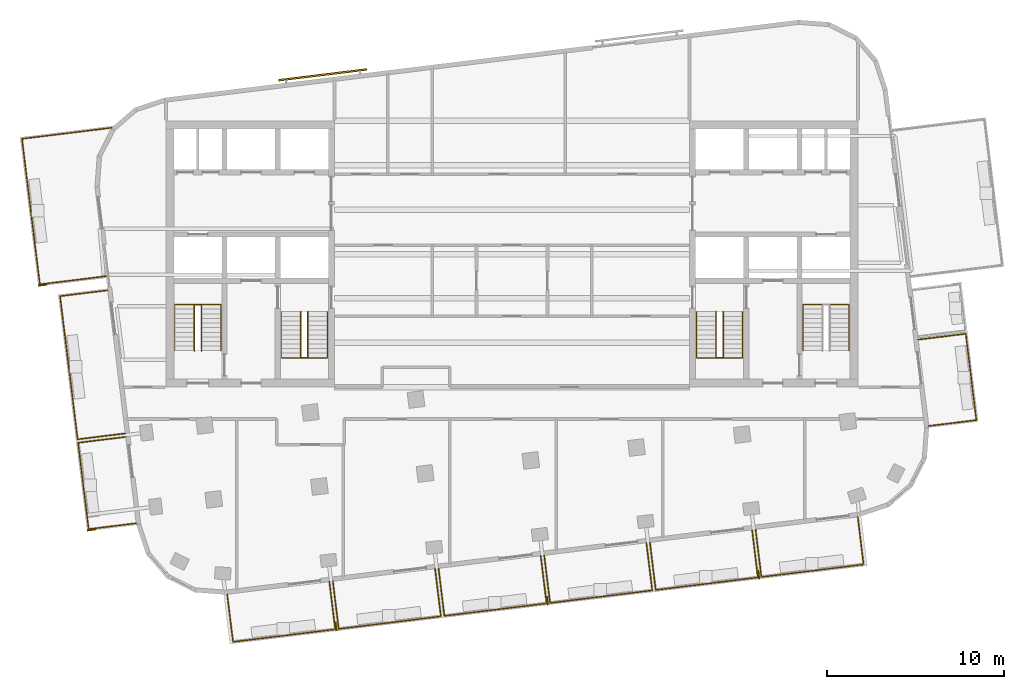
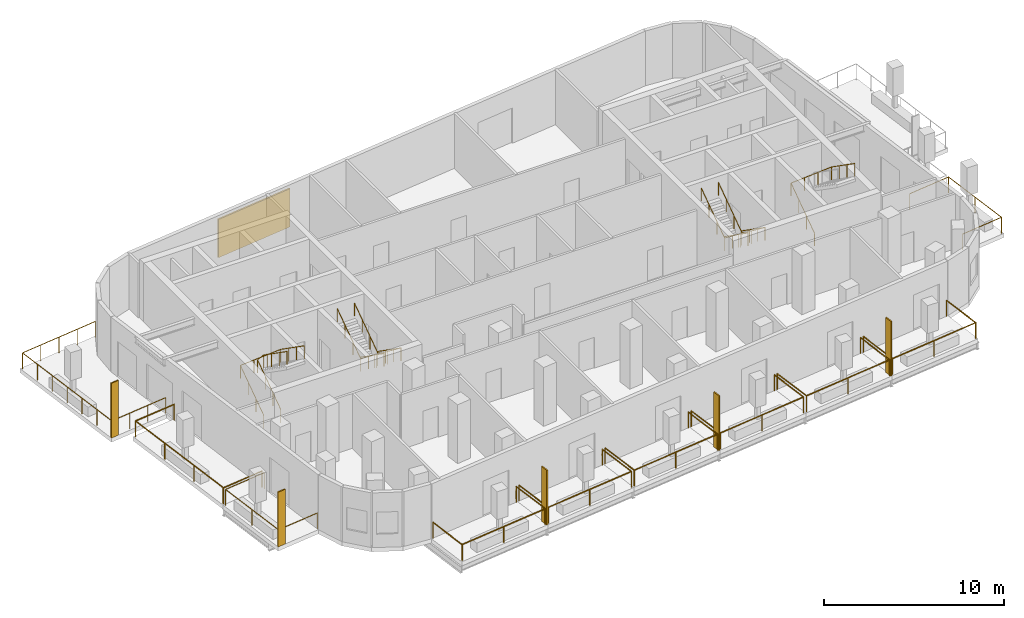
# One storey, part 8 of 10: 17 railings, 6 shading devices.
"""IFC4 building model written with IfcOpenShell, lengths in metres."""

from ifc_helpers import new_model, si_unit, direction, frame, origin, origin_2d, place, context, subcontext, project, spatial, rectangle, circle, extrude, material, layer, layer_set, type_object, element, save


model = new_model("IFC4")

# Units and contexts
model_context = context("Model", 3, precision=1e-05, world=origin(), true_north=direction((0.0, 1.0)))
body_context = subcontext(model_context, "Body", "Model", "MODEL_VIEW")
ifc_project = project(units=[si_unit("LENGTHUNIT", "METRE"), si_unit("AREAUNIT", "SQUARE_METRE"), si_unit("VOLUMEUNIT", "CUBIC_METRE"), si_unit("PLANEANGLEUNIT", "RADIAN"), si_unit("MASSUNIT", "GRAM", prefix="KILO")], contexts=[model_context])

# Site, building, storey
site_placement = place(None, origin())
site = spatial("IfcSite", under=ifc_project, at=site_placement, CompositionType="ELEMENT")
building_placement = place(site_placement, origin())
building = spatial("IfcBuilding", under=site, at=building_placement, Name="Torana Hotel and Residences", CompositionType="ELEMENT")
storey_placement = place(building_placement, frame((0.0, 0.0, 334.60009765625)))
storey = spatial("IfcBuildingStorey", under=building, at=storey_placement, Name="L88", CompositionType="ELEMENT", Elevation=334.60009765625)

# Shading devices
ifc_material_1 = material(Name="Black powder coated aluminium", Category="aluminium")
ifc_layer_1 = layer(ifc_material_1, 0.080078125)
ifc_layer_set_1 = layer_set([ifc_layer_1], Name="FN1 VERTICAL FIN 500x80")
shading_device_type_1 = type_object("IfcShadingDeviceType", Name="FN1 VERTICAL FIN 500x80", PredefinedType="USERDEFINED", material=ifc_layer_set_1)
for number, where, z_axis, x_axis, name in (
    (1, (-9.921142578125, -28.4931640625, 0.0), (0.0, 0.0, 1.0), (-0.99254657704, -0.121865878765, 0.0), "Fin 01"),
    (2, (1.989501953125, -27.03076171875, 0.0), (0.0, 0.0, 1.0), (-0.99254657704, -0.121865878765, 0.0), "Fin 03"),
    (3, (13.89990234375, -25.568359375, 0.0), (0.0, 0.0, 1.0), (-0.99254657704, -0.121865878765, 0.0), "Fin 05"),
    (4, (-23.6982421875, -23.04150390625, 0.0), (0.0, 0.0, 1.0), (-0.121881469635, 0.992544662652, 0.0), "Fin 07"),
    (5, (-26.44970703125, -9.2490234375, 0.0), (0.0, 0.0, 1.0), (-0.121871075725, 0.992545938938, 0.0), "Fin 09"),
):
    element("IfcShadingDevice", number, at=place(storey_placement, frame(where, z_axis=z_axis, x_axis=x_axis)), inside=storey, type_object=shading_device_type_1, Name=name, ObjectType="FIN", PredefinedType="USERDEFINED", context=body_context, shape_type="SweptSolid", body=[
        extrude(rectangle(XDim=0.080078125, YDim=0.5, at=origin_2d()), origin(), (0.0, 0.0, 1.0), 3.719970703125),
    ])

# Railings
ifc_material_2 = material(Name="Laminated glass balustrade with black handrail", Category="glass")
railing_type_1 = type_object("IfcRailingType", Name="GR1 BALCONY GUARD 1100 GLASS", PredefinedType="GUARDRAIL", material=ifc_material_2)
railing_1_placement = place(storey_placement, frame((-10.29150390625, -25.969482421875, 0.0)))
element("IfcRailing", 6, at=railing_1_placement, inside=storey, type_object=railing_type_1, Name="Balcony guard 01", PredefinedType="GUARDRAIL", context=body_context, shape_type="SweptSolid", body=[
    extrude(circle(Radius=0.02392578125, at=origin_2d()), frame((0.0, 0.0, 1.076171875), z_axis=(0.121886613265, -0.992544031017, 0.0), x_axis=(0.992544031017, 0.121886613265, 0.0)), (0.0, 0.0, 1.0), 2.699951171875),
    extrude(circle(Radius=0.02392578125, at=origin_2d()), frame((0.3291015625, -2.679931640625, 1.076171875), z_axis=(-0.992547475119, -0.121858564057, 0.0), x_axis=(0.121858564057, -0.992547475119, 0.0)), (0.0, 0.0, 1.0), 5.800048828125),
    extrude(circle(Radius=0.02392578125, at=origin_2d()), frame((-5.427734375, -3.38671875, 1.076171875), z_axis=(-0.121797534772, 0.992554965996, 0.0), x_axis=(-0.992554965996, -0.121797534772, 0.0)), (0.0, 0.0, 1.0), 2.699951171875),
    extrude(circle(Radius=0.02099609375, at=origin_2d()), origin(), (0.0, 0.0, 1.0), 1.052001953125),
    extrude(circle(Radius=0.02099609375, at=origin_2d()), frame((0.3291015625, -2.679931640625, 0.0)), (0.0, 0.0, 1.0), 1.052001953125),
    extrude(circle(Radius=0.02099609375, at=origin_2d()), frame((-2.54931640625, -3.033203125, 0.0)), (0.0, 0.0, 1.0), 1.052001953125),
    extrude(circle(Radius=0.02099609375, at=origin_2d()), frame((-5.427734375, -3.38671875, 0.0)), (0.0, 0.0, 1.0), 1.052001953125),
    extrude(circle(Radius=0.02099609375, at=origin_2d()), frame((-5.756591796875, -0.706787109375, 0.0)), (0.0, 0.0, 1.0), 1.052001953125),
])
for number, where, name in (
    (7, (-4.336181640625, -25.23828125, 0.0), "Balcony guard 02"),
    (8, (1.619140625, -24.507080078125, 0.0), "Balcony guard 03"),
):
    element("IfcRailing", number, at=place(storey_placement, frame(where)), inside=storey, type_object=railing_type_1, Name=name, PredefinedType="GUARDRAIL", context=body_context, shape_type="SweptSolid", body=[
        extrude(circle(Radius=0.02392578125, at=origin_2d()), frame((0.0, 0.0, 1.076171875), z_axis=(0.121886613265, -0.992544031017, 0.0), x_axis=(0.992544031017, 0.121886613265, 0.0)), (0.0, 0.0, 1.0), 2.699951171875),
        extrude(circle(Radius=0.02392578125, at=origin_2d()), frame((0.3291015625, -2.679931640625, 1.076171875), z_axis=(-0.992547475119, -0.121858564057, 0.0), x_axis=(0.121858564057, -0.992547475119, 0.0)), (0.0, 0.0, 1.0), 5.800048828125),
        extrude(circle(Radius=0.02392578125, at=origin_2d()), frame((-5.427734375, -3.38671875, 1.076171875), z_axis=(-0.121886613265, 0.992544031017, 0.0), x_axis=(-0.992544031017, -0.121886613265, 0.0)), (0.0, 0.0, 1.0), 2.699951171875),
        extrude(circle(Radius=0.02099609375, at=origin_2d()), origin(), (0.0, 0.0, 1.0), 1.052001953125),
        extrude(circle(Radius=0.02099609375, at=origin_2d()), frame((0.3291015625, -2.679931640625, 0.0)), (0.0, 0.0, 1.0), 1.052001953125),
        extrude(circle(Radius=0.02099609375, at=origin_2d()), frame((-2.54931640625, -3.033203125, 0.0)), (0.0, 0.0, 1.0), 1.052001953125),
        extrude(circle(Radius=0.02099609375, at=origin_2d()), frame((-5.427734375, -3.38671875, 0.0)), (0.0, 0.0, 1.0), 1.052001953125),
        extrude(circle(Radius=0.02099609375, at=origin_2d()), frame((-5.7568359375, -0.706787109375, 0.0)), (0.0, 0.0, 1.0), 1.052001953125),
    ])
railing_2_placement = place(storey_placement, frame((7.57421875, -23.77587890625, 0.0)))
element("IfcRailing", 9, at=railing_2_placement, inside=storey, type_object=railing_type_1, Name="Balcony guard 04", PredefinedType="GUARDRAIL", context=body_context, shape_type="SweptSolid", body=[
    extrude(circle(Radius=0.02392578125, at=origin_2d()), frame((0.0, 0.0, 1.076171875), z_axis=(0.121886613265, -0.992544031017, 0.0), x_axis=(0.992544031017, 0.121886613265, 0.0)), (0.0, 0.0, 1.0), 2.699951171875),
    extrude(circle(Radius=0.02392578125, at=origin_2d()), frame((0.3291015625, -2.679931640625, 1.076171875), z_axis=(-0.992546850023, -0.121863655406, 0.0), x_axis=(0.121863655406, -0.992546850023, 0.0)), (0.0, 0.0, 1.0), 5.7998046875),
    extrude(circle(Radius=0.02392578125, at=origin_2d()), frame((-5.427490234375, -3.38671875, 1.076171875), z_axis=(-0.121886613265, 0.992544031017, 0.0), x_axis=(-0.992544031017, -0.121886613265, 0.0)), (0.0, 0.0, 1.0), 2.699951171875),
    extrude(circle(Radius=0.02099609375, at=origin_2d()), origin(), (0.0, 0.0, 1.0), 1.052001953125),
    extrude(circle(Radius=0.02099609375, at=origin_2d()), frame((0.3291015625, -2.679931640625, 0.0)), (0.0, 0.0, 1.0), 1.052001953125),
    extrude(circle(Radius=0.02099609375, at=origin_2d()), frame((-2.54931640625, -3.033203125, 0.0)), (0.0, 0.0, 1.0), 1.052001953125),
    extrude(circle(Radius=0.02099609375, at=origin_2d()), frame((-5.427490234375, -3.38671875, 0.0)), (0.0, 0.0, 1.0), 1.052001953125),
    extrude(circle(Radius=0.02099609375, at=origin_2d()), frame((-5.756591796875, -0.706787109375, 0.0)), (0.0, 0.0, 1.0), 1.052001953125),
])
for number, where, name in (
    (10, (13.529541015625, -23.044677734375, 0.0), "Balcony guard 05"),
    (11, (19.48486328125, -22.3134765625, 0.0), "Balcony guard 06"),
):
    element("IfcRailing", number, at=place(storey_placement, frame(where)), inside=storey, type_object=railing_type_1, Name=name, PredefinedType="GUARDRAIL", context=body_context, shape_type="SweptSolid", body=[
        extrude(circle(Radius=0.02392578125, at=origin_2d()), frame((0.0, 0.0, 1.076171875), z_axis=(0.121886613265, -0.992544031017, 0.0), x_axis=(0.992544031017, 0.121886613265, 0.0)), (0.0, 0.0, 1.0), 2.699951171875),
        extrude(circle(Radius=0.02392578125, at=origin_2d()), frame((0.3291015625, -2.679931640625, 1.076171875), z_axis=(-0.992547475119, -0.121858564057, 0.0), x_axis=(0.121858564057, -0.992547475119, 0.0)), (0.0, 0.0, 1.0), 5.800048828125),
        extrude(circle(Radius=0.02392578125, at=origin_2d()), frame((-5.427734375, -3.38671875, 1.076171875), z_axis=(-0.121797534772, 0.992554965996, 0.0), x_axis=(-0.992554965996, -0.121797534772, 0.0)), (0.0, 0.0, 1.0), 2.699951171875),
        extrude(circle(Radius=0.02099609375, at=origin_2d()), origin(), (0.0, 0.0, 1.0), 1.052001953125),
        extrude(circle(Radius=0.02099609375, at=origin_2d()), frame((0.3291015625, -2.679931640625, 0.0)), (0.0, 0.0, 1.0), 1.052001953125),
        extrude(circle(Radius=0.02099609375, at=origin_2d()), frame((-2.54931640625, -3.033203125, 0.0)), (0.0, 0.0, 1.0), 1.052001953125),
        extrude(circle(Radius=0.02099609375, at=origin_2d()), frame((-5.427734375, -3.38671875, 0.0)), (0.0, 0.0, 1.0), 1.052001953125),
        extrude(circle(Radius=0.02099609375, at=origin_2d()), frame((-5.756591796875, -0.706787109375, 0.0)), (0.0, 0.0, 1.0), 1.052001953125),
    ])
railing_3_placement = place(storey_placement, frame((-21.174560546875, -22.671142578125, 0.0)))
element("IfcRailing", 12, at=railing_3_placement, inside=storey, type_object=railing_type_1, Name="Balcony guard 07", PredefinedType="GUARDRAIL", context=body_context, shape_type="SweptSolid", body=[
    extrude(circle(Radius=0.02392578125, at=origin_2d()), frame((0.0, 0.0, 1.076171875), z_axis=(-0.992544031017, -0.121886613265, 0.0), x_axis=(0.121886613265, -0.992544031017, 0.0)), (0.0, 0.0, 1.0), 2.699951171875),
    extrude(circle(Radius=0.02392578125, at=origin_2d()), frame((-2.679931640625, -0.3291015625, 1.076171875), z_axis=(-0.121869773493, 0.992546098833, 0.0), x_axis=(-0.992546098833, -0.121869773493, 0.0)), (0.0, 0.0, 1.0), 4.900146484375),
    extrude(circle(Radius=0.02392578125, at=origin_2d()), frame((-3.277099609375, 4.534423828125, 1.076171875), z_axis=(0.992554965996, 0.121797534772, 0.0), x_axis=(-0.121797534772, 0.992554965996, 0.0)), (0.0, 0.0, 1.0), 2.699951171875),
    extrude(circle(Radius=0.02099609375, at=origin_2d()), origin(), (0.0, 0.0, 1.0), 1.052001953125),
    extrude(circle(Radius=0.02099609375, at=origin_2d()), frame((-2.679931640625, -0.3291015625, 0.0)), (0.0, 0.0, 1.0), 1.052001953125),
    extrude(circle(Radius=0.02099609375, at=origin_2d()), frame((-2.978515625, 2.1025390625, 0.0)), (0.0, 0.0, 1.0), 1.052001953125),
    extrude(circle(Radius=0.02099609375, at=origin_2d()), frame((-3.277099609375, 4.534423828125, 0.0)), (0.0, 0.0, 1.0), 1.052001953125),
    extrude(circle(Radius=0.02099609375, at=origin_2d()), frame((-0.59716796875, 4.86328125, 0.0)), (0.0, 0.0, 1.0), 1.052001953125),
])
railing_4_placement = place(storey_placement, frame((-21.796142578125, -17.609130859375, 0.0)))
element("IfcRailing", 13, at=railing_4_placement, inside=storey, type_object=railing_type_1, Name="Balcony guard 08", PredefinedType="GUARDRAIL", context=body_context, shape_type="SweptSolid", body=[
    extrude(circle(Radius=0.02392578125, at=origin_2d()), frame((0.0, 0.0, 1.076171875), z_axis=(-0.992544031017, -0.121886613265, 0.0), x_axis=(0.121886613265, -0.992544031017, 0.0)), (0.0, 0.0, 1.0), 2.699951171875),
    extrude(circle(Radius=0.02392578125, at=origin_2d()), frame((-2.679931640625, -0.3291015625, 1.076171875), z_axis=(-0.121845081243, 0.992549130359, 0.0), x_axis=(-0.992549130359, -0.121845081243, 0.0)), (0.0, 0.0, 1.0), 8.125),
    extrude(circle(Radius=0.02392578125, at=origin_2d()), frame((-3.669921875, 7.7353515625, 1.076171875), z_axis=(0.992554965996, 0.121797534772, 0.0), x_axis=(-0.121797534772, 0.992554965996, 0.0)), (0.0, 0.0, 1.0), 2.699951171875),
    extrude(circle(Radius=0.02099609375, at=origin_2d()), origin(), (0.0, 0.0, 1.0), 1.052001953125),
    extrude(circle(Radius=0.02099609375, at=origin_2d()), frame((-2.679931640625, -0.3291015625, 0.0)), (0.0, 0.0, 1.0), 1.052001953125),
    extrude(circle(Radius=0.02099609375, at=origin_2d()), frame((-3.010009765625, 2.359130859375, 0.0)), (0.0, 0.0, 1.0), 1.052001953125),
    extrude(circle(Radius=0.02099609375, at=origin_2d()), frame((-3.33984375, 5.047119140625, 0.0)), (0.0, 0.0, 1.0), 1.052001953125),
    extrude(circle(Radius=0.02099609375, at=origin_2d()), frame((-3.669921875, 7.7353515625, 0.0)), (0.0, 0.0, 1.0), 1.052001953125),
    extrude(circle(Radius=0.02099609375, at=origin_2d()), frame((-0.989990234375, 8.064208984375, 0.0)), (0.0, 0.0, 1.0), 1.052001953125),
])
railing_5_placement = place(storey_placement, frame((-22.8837890625, -8.750732421875, 0.0)))
element("IfcRailing", 14, at=railing_5_placement, inside=storey, type_object=railing_type_1, Name="Balcony guard 09", PredefinedType="GUARDRAIL", context=body_context, shape_type="SweptSolid", body=[
    extrude(circle(Radius=0.02392578125, at=origin_2d()), frame((0.0, 0.0, 1.076171875), z_axis=(-0.992544975267, -0.121878923824, 0.0), x_axis=(0.121878923824, -0.992544975267, 0.0)), (0.0, 0.0, 1.0), 3.75),
    extrude(circle(Radius=0.02392578125, at=origin_2d()), frame((-3.721923828125, -0.45703125, 1.076171875), z_axis=(-0.121878024543, 0.992545085693, 0.0), x_axis=(-0.992545085693, -0.121878024543, 0.0)), (0.0, 0.0, 1.0), 8.262939453125),
    extrude(circle(Radius=0.02392578125, at=origin_2d()), frame((-4.72900390625, 7.744384765625, 1.076171875), z_axis=(0.992542638755, 0.12189795016, 0.0), x_axis=(-0.12189795016, 0.992542638755, 0.0)), (0.0, 0.0, 1.0), 5.0771484375),
    extrude(circle(Radius=0.02099609375, at=origin_2d()), origin(), (0.0, 0.0, 1.0), 1.052001953125),
    extrude(circle(Radius=0.02099609375, at=origin_2d()), frame((-1.24072265625, -0.15234375, 0.0)), (0.0, 0.0, 1.0), 1.052001953125),
    extrude(circle(Radius=0.02099609375, at=origin_2d()), frame((-2.481201171875, -0.3046875, 0.0)), (0.0, 0.0, 1.0), 1.052001953125),
    extrude(circle(Radius=0.02099609375, at=origin_2d()), frame((-3.721923828125, -0.45703125, 0.0)), (0.0, 0.0, 1.0), 1.052001953125),
    extrude(circle(Radius=0.02099609375, at=origin_2d()), frame((-3.8896484375, 0.909912109375, 0.0)), (0.0, 0.0, 1.0), 1.052001953125),
    extrude(circle(Radius=0.02099609375, at=origin_2d()), frame((-4.0576171875, 2.27685546875, 0.0)), (0.0, 0.0, 1.0), 1.052001953125),
    extrude(circle(Radius=0.02099609375, at=origin_2d()), frame((-4.2255859375, 3.6435546875, 0.0)), (0.0, 0.0, 1.0), 1.052001953125),
    extrude(circle(Radius=0.02099609375, at=origin_2d()), frame((-4.393310546875, 5.010498046875, 0.0)), (0.0, 0.0, 1.0), 1.052001953125),
    extrude(circle(Radius=0.02099609375, at=origin_2d()), frame((-4.56103515625, 6.37744140625, 0.0)), (0.0, 0.0, 1.0), 1.052001953125),
    extrude(circle(Radius=0.02099609375, at=origin_2d()), frame((-4.72900390625, 7.744384765625, 0.0)), (0.0, 0.0, 1.0), 1.052001953125),
    extrude(circle(Radius=0.02099609375, at=origin_2d()), frame((-3.46923828125, 7.899169921875, 0.0)), (0.0, 0.0, 1.0), 1.052001953125),
    extrude(circle(Radius=0.02099609375, at=origin_2d()), frame((-2.20947265625, 8.0537109375, 0.0)), (0.0, 0.0, 1.0), 1.052001953125),
    extrude(circle(Radius=0.02099609375, at=origin_2d()), frame((-0.949462890625, 8.20849609375, 0.0)), (0.0, 0.0, 1.0), 1.052001953125),
    extrude(circle(Radius=0.02099609375, at=origin_2d()), frame((0.310302734375, 8.36328125, 0.0)), (0.0, 0.0, 1.0), 1.052001953125),
])
railing_6_placement = place(storey_placement, frame((22.892822265625, -12.32373046875, 0.0)))
element("IfcRailing", 15, at=railing_6_placement, inside=storey, type_object=railing_type_1, Name="Balcony guard 10", PredefinedType="GUARDRAIL", context=body_context, shape_type="SweptSolid", body=[
    extrude(circle(Radius=0.02392578125, at=origin_2d()), frame((0.0, 0.0, 1.076171875), z_axis=(0.992544031017, 0.121886613265, 0.0), x_axis=(-0.121886613265, 0.992544031017, 0.0)), (0.0, 0.0, 1.0), 2.699951171875),
    extrude(circle(Radius=0.02392578125, at=origin_2d()), frame((2.679931640625, 0.3291015625, 1.076171875), z_axis=(0.121869773493, -0.992546098833, 0.0), x_axis=(0.992546098833, 0.121869773493, 0.0)), (0.0, 0.0, 1.0), 4.900146484375),
    extrude(circle(Radius=0.02392578125, at=origin_2d()), frame((3.277099609375, -4.534423828125, 1.076171875), z_axis=(-0.992554965996, -0.121797534772, 0.0), x_axis=(0.121797534772, -0.992554965996, 0.0)), (0.0, 0.0, 1.0), 2.699951171875),
    extrude(circle(Radius=0.02099609375, at=origin_2d()), origin(), (0.0, 0.0, 1.0), 1.052001953125),
    extrude(circle(Radius=0.02099609375, at=origin_2d()), frame((2.679931640625, 0.3291015625, 0.0)), (0.0, 0.0, 1.0), 1.052001953125),
    extrude(circle(Radius=0.02099609375, at=origin_2d()), frame((2.978515625, -2.1025390625, 0.0)), (0.0, 0.0, 1.0), 1.052001953125),
    extrude(circle(Radius=0.02099609375, at=origin_2d()), frame((3.277099609375, -4.534423828125, 0.0)), (0.0, 0.0, 1.0), 1.052001953125),
    extrude(circle(Radius=0.02099609375, at=origin_2d()), frame((0.59716796875, -4.86328125, 0.0)), (0.0, 0.0, 1.0), 1.052001953125),
])

# Shading device
ifc_material_3 = material(Name="Concrete C40/50 precast", Category="concrete")
ifc_layer_2 = layer(ifc_material_3, 0.10009765625)
ifc_layer_set_2 = layer_set([ifc_layer_2], Name="SC1 PERFORATED BLOCK SCREEN PANEL 100")
shading_device_type_2 = type_object("IfcShadingDeviceType", Name="SC1 PERFORATED BLOCK SCREEN PANEL 100", PredefinedType="USERDEFINED", material=ifc_layer_set_2)
shading_device_placement = place(storey_placement, frame((-10.663330078125, 2.59814453125, 0.499755859375), z_axis=(0.0, 0.0, 1.0), x_axis=(-0.99254657704, -0.121865878765, 0.0)))
element("IfcShadingDevice", 16, at=shading_device_placement, inside=storey, type_object=shading_device_type_2, Name="Perforated block screen L88", ObjectType="SCREEN", PredefinedType="USERDEFINED", context=body_context, shape_type="SweptSolid", body=[
    extrude(rectangle(XDim=5.0, YDim=0.10009765625, at=origin_2d()), origin(), (0.0, 0.0, 1.0), 2.60009765625),
])

# Railings
ifc_material_4 = material(Name="Stainless steel 316", Category="steel")
railing_type_2 = type_object("IfcRailingType", Name="STAIR HANDRAIL HR1 900", PredefinedType="HANDRAIL", material=ifc_material_4)
railing_7_placement = place(storey_placement, frame((-10.39990234375, -10.75, 0.181640625)))
element("IfcRailing", 17, at=railing_7_placement, inside=storey, type_object=railing_type_2, Name="Handrail ST1 L88 O1", PredefinedType="HANDRAIL", context=body_context, shape_type="SweptSolid", body=[
    extrude(circle(Radius=0.02392578125, at=origin_2d()), frame((0.0, 0.0, 0.8759765625), z_axis=(0.0, -0.819484887739, 0.573100792852), x_axis=(1.0, 0.0, 0.0)), (0.0, 0.0, 1.0), 3.1728515625),
    extrude(circle(Radius=0.02392578125, at=origin_2d()), frame((0.0, -2.60009765625, 2.6943359375), z_axis=(-0.997568744571, 0.0, 0.06968930948), x_axis=(0.0, -1.0, 0.0)), (0.0, 0.0, 1.0), 2.6064453125),
    extrude(circle(Radius=0.02392578125, at=origin_2d()), frame((-2.60009765625, -2.60009765625, 2.8759765625), z_axis=(0.0, 0.819484887739, 0.573100792852), x_axis=(-1.0, 0.0, 0.0)), (0.0, 0.0, 1.0), 3.1728515625),
    extrude(circle(Radius=0.02099609375, at=origin_2d()), origin(), (0.0, 0.0, 1.0), 0.851806640625),
    extrude(circle(Radius=0.02099609375, at=origin_2d()), frame((0.0, -0.86669921875, 0.606201171875)), (0.0, 0.0, 1.0), 0.851806640625),
    extrude(circle(Radius=0.02099609375, at=origin_2d()), frame((0.0, -1.7333984375, 1.212158203125)), (0.0, 0.0, 1.0), 0.851806640625),
    extrude(circle(Radius=0.02099609375, at=origin_2d()), frame((0.0, -2.60009765625, 1.818359375)), (0.0, 0.0, 1.0), 0.851806640625),
    extrude(circle(Radius=0.02099609375, at=origin_2d()), frame((-0.86669921875, -2.60009765625, 1.87890625)), (0.0, 0.0, 1.0), 0.851806640625),
    extrude(circle(Radius=0.02099609375, at=origin_2d()), frame((-1.7333984375, -2.60009765625, 1.939453125)), (0.0, 0.0, 1.0), 0.851806640625),
    extrude(circle(Radius=0.02099609375, at=origin_2d()), frame((-2.60009765625, -2.60009765625, 2.0)), (0.0, 0.0, 1.0), 0.851806640625),
    extrude(circle(Radius=0.02099609375, at=origin_2d()), frame((-2.60009765625, -1.7333984375, 2.606201171875)), (0.0, 0.0, 1.0), 0.851806640625),
    extrude(circle(Radius=0.02099609375, at=origin_2d()), frame((-2.60009765625, -0.86669921875, 3.212158203125)), (0.0, 0.0, 1.0), 0.851806640625),
    extrude(circle(Radius=0.02099609375, at=origin_2d()), frame((-2.60009765625, 0.0, 3.818359375)), (0.0, 0.0, 1.0), 0.851806640625),
])
railing_8_placement = place(storey_placement, frame((-11.5, -10.75, 0.181640625)))
element("IfcRailing", 18, at=railing_8_placement, inside=storey, type_object=railing_type_2, Name="Handrail ST1 L88 I1", PredefinedType="HANDRAIL", context=body_context, shape_type="SweptSolid", body=[
    extrude(circle(Radius=0.02392578125, at=origin_2d()), frame((0.0, 0.0, 0.8759765625), z_axis=(0.0, -0.819484887739, 0.573100792852), x_axis=(1.0, 0.0, 0.0)), (0.0, 0.0, 1.0), 3.1728515625),
    extrude(circle(Radius=0.02392578125, at=origin_2d()), frame((0.0, -2.60009765625, 2.6943359375), z_axis=(-0.910480658332, 0.0, 0.413551654334), x_axis=(0.0, -1.0, 0.0)), (0.0, 0.0, 1.0), 0.439208984375),
    extrude(circle(Radius=0.02392578125, at=origin_2d()), frame((-0.39990234375, -2.60009765625, 2.8759765625), z_axis=(0.0, 0.819484887739, 0.573100792852), x_axis=(-1.0, 0.0, 0.0)), (0.0, 0.0, 1.0), 3.1728515625),
    extrude(circle(Radius=0.02099609375, at=origin_2d()), origin(), (0.0, 0.0, 1.0), 0.851806640625),
    extrude(circle(Radius=0.02099609375, at=origin_2d()), frame((0.0, -0.86669921875, 0.606201171875)), (0.0, 0.0, 1.0), 0.851806640625),
    extrude(circle(Radius=0.02099609375, at=origin_2d()), frame((0.0, -1.7333984375, 1.212158203125)), (0.0, 0.0, 1.0), 0.851806640625),
    extrude(circle(Radius=0.02099609375, at=origin_2d()), frame((0.0, -2.60009765625, 1.818359375)), (0.0, 0.0, 1.0), 0.851806640625),
    extrude(circle(Radius=0.02099609375, at=origin_2d()), frame((-0.39990234375, -2.60009765625, 2.0)), (0.0, 0.0, 1.0), 0.851806640625),
    extrude(circle(Radius=0.02099609375, at=origin_2d()), frame((-0.39990234375, -1.7333984375, 2.606201171875)), (0.0, 0.0, 1.0), 0.851806640625),
    extrude(circle(Radius=0.02099609375, at=origin_2d()), frame((-0.39990234375, -0.86669921875, 3.212158203125)), (0.0, 0.0, 1.0), 0.851806640625),
    extrude(circle(Radius=0.02099609375, at=origin_2d()), frame((-0.39990234375, 0.0, 3.818359375)), (0.0, 0.0, 1.0), 0.851806640625),
])
railing_9_placement = place(storey_placement, frame((-19.0, -12.949951171875, 0.181640625)))
element("IfcRailing", 19, at=railing_9_placement, inside=storey, type_object=railing_type_2, Name="Handrail ST2 L88 O1", PredefinedType="HANDRAIL", context=body_context, shape_type="SweptSolid", body=[
    extrude(circle(Radius=0.02392578125, at=origin_2d()), frame((0.0, 0.0, 0.8759765625), z_axis=(0.0, 0.819459612548, 0.573136932506), x_axis=(-1.0, 0.0, 0.0)), (0.0, 0.0, 1.0), 3.172607421875),
    extrude(circle(Radius=0.02392578125, at=origin_2d()), frame((0.0, 2.599853515625, 2.6943359375), z_axis=(0.997568744571, 0.0, 0.06968930948), x_axis=(0.0, 1.0, 0.0)), (0.0, 0.0, 1.0), 2.6064453125),
    extrude(circle(Radius=0.02392578125, at=origin_2d()), frame((2.60009765625, 2.599853515625, 2.8759765625), z_axis=(0.0, -0.819459612548, 0.573136932506), x_axis=(1.0, 0.0, 0.0)), (0.0, 0.0, 1.0), 3.172607421875),
    extrude(circle(Radius=0.02099609375, at=origin_2d()), origin(), (0.0, 0.0, 1.0), 0.851806640625),
    extrude(circle(Radius=0.02099609375, at=origin_2d()), frame((0.0, 0.86669921875, 0.606201171875)), (0.0, 0.0, 1.0), 0.851806640625),
    extrude(circle(Radius=0.02099609375, at=origin_2d()), frame((0.0, 1.733154296875, 1.212158203125)), (0.0, 0.0, 1.0), 0.851806640625),
    extrude(circle(Radius=0.02099609375, at=origin_2d()), frame((0.0, 2.599853515625, 1.818359375)), (0.0, 0.0, 1.0), 0.851806640625),
    extrude(circle(Radius=0.02099609375, at=origin_2d()), frame((0.86669921875, 2.599853515625, 1.87890625)), (0.0, 0.0, 1.0), 0.851806640625),
    extrude(circle(Radius=0.02099609375, at=origin_2d()), frame((1.7333984375, 2.599853515625, 1.939453125)), (0.0, 0.0, 1.0), 0.851806640625),
    extrude(circle(Radius=0.02099609375, at=origin_2d()), frame((2.60009765625, 2.599853515625, 2.0)), (0.0, 0.0, 1.0), 0.851806640625),
    extrude(circle(Radius=0.02099609375, at=origin_2d()), frame((2.60009765625, 1.733154296875, 2.606201171875)), (0.0, 0.0, 1.0), 0.851806640625),
    extrude(circle(Radius=0.02099609375, at=origin_2d()), frame((2.60009765625, 0.86669921875, 3.212158203125)), (0.0, 0.0, 1.0), 0.851806640625),
    extrude(circle(Radius=0.02099609375, at=origin_2d()), frame((2.60009765625, 0.0, 3.818359375)), (0.0, 0.0, 1.0), 0.851806640625),
])
railing_10_placement = place(storey_placement, frame((-17.89990234375, -12.949951171875, 0.181640625)))
element("IfcRailing", 20, at=railing_10_placement, inside=storey, type_object=railing_type_2, Name="Handrail ST2 L88 I1", PredefinedType="HANDRAIL", context=body_context, shape_type="SweptSolid", body=[
    extrude(circle(Radius=0.02392578125, at=origin_2d()), frame((0.0, 0.0, 0.8759765625), z_axis=(0.0, 0.819459612548, 0.573136932506), x_axis=(-1.0, 0.0, 0.0)), (0.0, 0.0, 1.0), 3.172607421875),
    extrude(circle(Radius=0.02392578125, at=origin_2d()), frame((0.0, 2.599853515625, 2.6943359375), z_axis=(0.910480658332, 0.0, 0.413551654334), x_axis=(0.0, 1.0, 0.0)), (0.0, 0.0, 1.0), 0.439208984375),
    extrude(circle(Radius=0.02392578125, at=origin_2d()), frame((0.39990234375, 2.599853515625, 2.8759765625), z_axis=(0.0, -0.819459612548, 0.573136932506), x_axis=(1.0, 0.0, 0.0)), (0.0, 0.0, 1.0), 3.172607421875),
    extrude(circle(Radius=0.02099609375, at=origin_2d()), origin(), (0.0, 0.0, 1.0), 0.851806640625),
    extrude(circle(Radius=0.02099609375, at=origin_2d()), frame((0.0, 0.86669921875, 0.606201171875)), (0.0, 0.0, 1.0), 0.851806640625),
    extrude(circle(Radius=0.02099609375, at=origin_2d()), frame((0.0, 1.733154296875, 1.212158203125)), (0.0, 0.0, 1.0), 0.851806640625),
    extrude(circle(Radius=0.02099609375, at=origin_2d()), frame((0.0, 2.599853515625, 1.818359375)), (0.0, 0.0, 1.0), 0.851806640625),
    extrude(circle(Radius=0.02099609375, at=origin_2d()), frame((0.39990234375, 2.599853515625, 2.0)), (0.0, 0.0, 1.0), 0.851806640625),
    extrude(circle(Radius=0.02099609375, at=origin_2d()), frame((0.39990234375, 1.733154296875, 2.606201171875)), (0.0, 0.0, 1.0), 0.851806640625),
    extrude(circle(Radius=0.02099609375, at=origin_2d()), frame((0.39990234375, 0.86669921875, 3.212158203125)), (0.0, 0.0, 1.0), 0.851806640625),
    extrude(circle(Radius=0.02099609375, at=origin_2d()), frame((0.39990234375, 0.0, 3.818359375)), (0.0, 0.0, 1.0), 0.851806640625),
])
railing_11_placement = place(storey_placement, frame((13.0, -10.75, 0.181640625)))
element("IfcRailing", 21, at=railing_11_placement, inside=storey, type_object=railing_type_2, Name="Handrail ST3 L88 O1", PredefinedType="HANDRAIL", context=body_context, shape_type="SweptSolid", body=[
    extrude(circle(Radius=0.02392578125, at=origin_2d()), frame((0.0, 0.0, 0.8759765625), z_axis=(0.0, -0.819484887739, 0.573100792852), x_axis=(1.0, 0.0, 0.0)), (0.0, 0.0, 1.0), 3.1728515625),
    extrude(circle(Radius=0.02392578125, at=origin_2d()), frame((0.0, -2.60009765625, 2.6943359375), z_axis=(-0.997568744571, 0.0, 0.06968930948), x_axis=(0.0, -1.0, 0.0)), (0.0, 0.0, 1.0), 2.6064453125),
    extrude(circle(Radius=0.02392578125, at=origin_2d()), frame((-2.60009765625, -2.60009765625, 2.8759765625), z_axis=(0.0, 0.819484887739, 0.573100792852), x_axis=(-1.0, 0.0, 0.0)), (0.0, 0.0, 1.0), 3.1728515625),
    extrude(circle(Radius=0.02099609375, at=origin_2d()), origin(), (0.0, 0.0, 1.0), 0.851806640625),
    extrude(circle(Radius=0.02099609375, at=origin_2d()), frame((0.0, -0.86669921875, 0.606201171875)), (0.0, 0.0, 1.0), 0.851806640625),
    extrude(circle(Radius=0.02099609375, at=origin_2d()), frame((0.0, -1.7333984375, 1.212158203125)), (0.0, 0.0, 1.0), 0.851806640625),
    extrude(circle(Radius=0.02099609375, at=origin_2d()), frame((0.0, -2.60009765625, 1.818359375)), (0.0, 0.0, 1.0), 0.851806640625),
    extrude(circle(Radius=0.02099609375, at=origin_2d()), frame((-0.86669921875, -2.60009765625, 1.87890625)), (0.0, 0.0, 1.0), 0.851806640625),
    extrude(circle(Radius=0.02099609375, at=origin_2d()), frame((-1.7333984375, -2.60009765625, 1.939453125)), (0.0, 0.0, 1.0), 0.851806640625),
    extrude(circle(Radius=0.02099609375, at=origin_2d()), frame((-2.60009765625, -2.60009765625, 2.0)), (0.0, 0.0, 1.0), 0.851806640625),
    extrude(circle(Radius=0.02099609375, at=origin_2d()), frame((-2.60009765625, -1.7333984375, 2.606201171875)), (0.0, 0.0, 1.0), 0.851806640625),
    extrude(circle(Radius=0.02099609375, at=origin_2d()), frame((-2.60009765625, -0.86669921875, 3.212158203125)), (0.0, 0.0, 1.0), 0.851806640625),
    extrude(circle(Radius=0.02099609375, at=origin_2d()), frame((-2.60009765625, 0.0, 3.818359375)), (0.0, 0.0, 1.0), 0.851806640625),
])
railing_12_placement = place(storey_placement, frame((11.89990234375, -10.75, 0.181640625)))
element("IfcRailing", 22, at=railing_12_placement, inside=storey, type_object=railing_type_2, Name="Handrail ST3 L88 I1", PredefinedType="HANDRAIL", context=body_context, shape_type="SweptSolid", body=[
    extrude(circle(Radius=0.02392578125, at=origin_2d()), frame((0.0, 0.0, 0.8759765625), z_axis=(0.0, -0.819484887739, 0.573100792852), x_axis=(1.0, 0.0, 0.0)), (0.0, 0.0, 1.0), 3.1728515625),
    extrude(circle(Radius=0.02392578125, at=origin_2d()), frame((0.0, -2.60009765625, 2.6943359375), z_axis=(-0.910480658332, 0.0, 0.413551654334), x_axis=(0.0, -1.0, 0.0)), (0.0, 0.0, 1.0), 0.439208984375),
    extrude(circle(Radius=0.02392578125, at=origin_2d()), frame((-0.39990234375, -2.60009765625, 2.8759765625), z_axis=(0.0, 0.819484887739, 0.573100792852), x_axis=(-1.0, 0.0, 0.0)), (0.0, 0.0, 1.0), 3.1728515625),
    extrude(circle(Radius=0.02099609375, at=origin_2d()), origin(), (0.0, 0.0, 1.0), 0.851806640625),
    extrude(circle(Radius=0.02099609375, at=origin_2d()), frame((0.0, -0.86669921875, 0.606201171875)), (0.0, 0.0, 1.0), 0.851806640625),
    extrude(circle(Radius=0.02099609375, at=origin_2d()), frame((0.0, -1.7333984375, 1.212158203125)), (0.0, 0.0, 1.0), 0.851806640625),
    extrude(circle(Radius=0.02099609375, at=origin_2d()), frame((0.0, -2.60009765625, 1.818359375)), (0.0, 0.0, 1.0), 0.851806640625),
    extrude(circle(Radius=0.02099609375, at=origin_2d()), frame((-0.39990234375, -2.60009765625, 2.0)), (0.0, 0.0, 1.0), 0.851806640625),
    extrude(circle(Radius=0.02099609375, at=origin_2d()), frame((-0.39990234375, -1.7333984375, 2.606201171875)), (0.0, 0.0, 1.0), 0.851806640625),
    extrude(circle(Radius=0.02099609375, at=origin_2d()), frame((-0.39990234375, -0.86669921875, 3.212158203125)), (0.0, 0.0, 1.0), 0.851806640625),
    extrude(circle(Radius=0.02099609375, at=origin_2d()), frame((-0.39990234375, 0.0, 3.818359375)), (0.0, 0.0, 1.0), 0.851806640625),
])
railing_13_placement = place(storey_placement, frame((16.39990234375, -12.949951171875, 0.181640625)))
element("IfcRailing", 23, at=railing_13_placement, inside=storey, type_object=railing_type_2, Name="Handrail ST4 L88 O1", PredefinedType="HANDRAIL", context=body_context, shape_type="SweptSolid", body=[
    extrude(circle(Radius=0.02392578125, at=origin_2d()), frame((0.0, 0.0, 0.8759765625), z_axis=(0.0, 0.819459612548, 0.573136932506), x_axis=(-1.0, 0.0, 0.0)), (0.0, 0.0, 1.0), 3.172607421875),
    extrude(circle(Radius=0.02392578125, at=origin_2d()), frame((0.0, 2.599853515625, 2.6943359375), z_axis=(0.997568744571, 0.0, 0.06968930948), x_axis=(0.0, 1.0, 0.0)), (0.0, 0.0, 1.0), 2.6064453125),
    extrude(circle(Radius=0.02392578125, at=origin_2d()), frame((2.60009765625, 2.599853515625, 2.8759765625), z_axis=(0.0, -0.819459612548, 0.573136932506), x_axis=(1.0, 0.0, 0.0)), (0.0, 0.0, 1.0), 3.172607421875),
    extrude(circle(Radius=0.02099609375, at=origin_2d()), origin(), (0.0, 0.0, 1.0), 0.851806640625),
    extrude(circle(Radius=0.02099609375, at=origin_2d()), frame((0.0, 0.86669921875, 0.606201171875)), (0.0, 0.0, 1.0), 0.851806640625),
    extrude(circle(Radius=0.02099609375, at=origin_2d()), frame((0.0, 1.733154296875, 1.212158203125)), (0.0, 0.0, 1.0), 0.851806640625),
    extrude(circle(Radius=0.02099609375, at=origin_2d()), frame((0.0, 2.599853515625, 1.818359375)), (0.0, 0.0, 1.0), 0.851806640625),
    extrude(circle(Radius=0.02099609375, at=origin_2d()), frame((0.86669921875, 2.599853515625, 1.87890625)), (0.0, 0.0, 1.0), 0.851806640625),
    extrude(circle(Radius=0.02099609375, at=origin_2d()), frame((1.7333984375, 2.599853515625, 1.939453125)), (0.0, 0.0, 1.0), 0.851806640625),
    extrude(circle(Radius=0.02099609375, at=origin_2d()), frame((2.60009765625, 2.599853515625, 2.0)), (0.0, 0.0, 1.0), 0.851806640625),
    extrude(circle(Radius=0.02099609375, at=origin_2d()), frame((2.60009765625, 1.733154296875, 2.606201171875)), (0.0, 0.0, 1.0), 0.851806640625),
    extrude(circle(Radius=0.02099609375, at=origin_2d()), frame((2.60009765625, 0.86669921875, 3.212158203125)), (0.0, 0.0, 1.0), 0.851806640625),
    extrude(circle(Radius=0.02099609375, at=origin_2d()), frame((2.60009765625, 0.0, 3.818359375)), (0.0, 0.0, 1.0), 0.851806640625),
])

save(model, "model.ifc")
